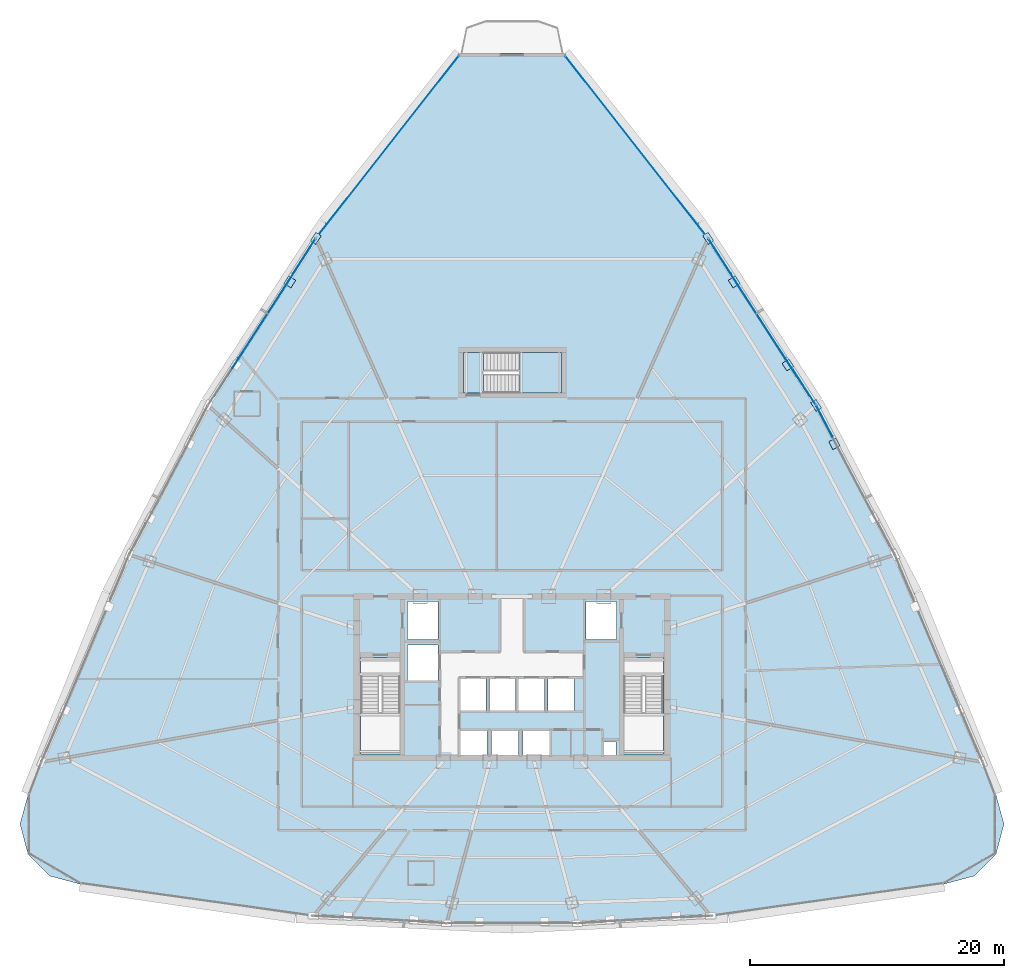
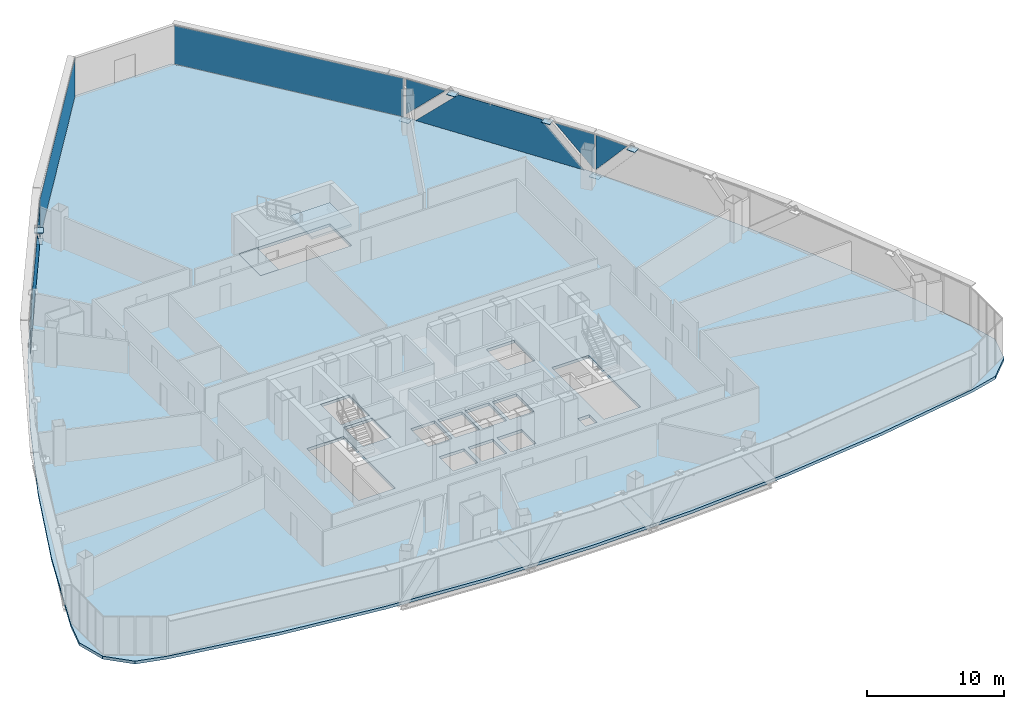
# One storey, part 28 of 37: 15 plates, 3 slabs, 6 elements without a shape of their own.
"""IFC4 building model written with IfcOpenShell, lengths in metres."""

from ifc_helpers import new_model, si_unit, direction, frame, origin, origin_2d, place, context, subcontext, project, spatial, polyline, rectangle, outline, extrude, source, transform, mapped, material, layer, layer_set, type_object, element, aggregate, save


model = new_model("IFC4")

# Units and contexts
model_context = context("Model", 3, precision=1e-05, world=origin(), true_north=direction((0.0, 1.0)))
body_context = subcontext(model_context, "Body", "Model", "MODEL_VIEW")
ifc_project = project(units=[si_unit("LENGTHUNIT", "METRE"), si_unit("AREAUNIT", "SQUARE_METRE"), si_unit("VOLUMEUNIT", "CUBIC_METRE"), si_unit("PLANEANGLEUNIT", "RADIAN"), si_unit("MASSUNIT", "GRAM", prefix="KILO"), si_unit("THERMODYNAMICTEMPERATUREUNIT", "KELVIN"), si_unit("POWERUNIT", "WATT")], contexts=[model_context])

# Site, building, storey
site_placement = place(None, origin())
site = spatial("IfcSite", under=ifc_project, at=site_placement, CompositionType="ELEMENT")
building_placement = place(site_placement, origin())
building = spatial("IfcBuilding", under=site, at=building_placement, Name="Yunzhuo Pagoda Commons", CompositionType="ELEMENT")
storey_placement = place(building_placement, frame((0.0, 0.0, 207.56005859375)))
storey = spatial("IfcBuildingStorey", under=building, at=storey_placement, Name="L52", CompositionType="ELEMENT", Elevation=207.56005859375)

# Curtain wall, plate
ifc_material_1 = material(Name="Anodized aluminium 6063-T6", Category="aluminium")
ifc_layer_1 = layer(ifc_material_1, 0.14990234375)
ifc_layer_set_1 = layer_set([ifc_layer_1], Name="Anodized aluminium 6063-T6")
curtain_wall_type = type_object("IfcCurtainWallType", Name="CW-MID Mid-Zone Ribbon Curtain Wall", PredefinedType="NOTDEFINED", material=ifc_layer_set_1)
curtain_wall_1_placement = place(storey_placement, origin())
curtain_wall_1 = element("IfcCurtainWall", 1, at=curtain_wall_1_placement, inside=storey, type_object=curtain_wall_type, Name="L52 curtain wall CW-L52-F2B3", PredefinedType="NOTDEFINED")
ifc_material_2 = material(Name="Tempered low-e double glazing", Category="glass")
ifc_layer_2 = layer(ifc_material_2, 0.028076171875)
ifc_layer_set_2 = layer_set([ifc_layer_2], Name="Tempered low-e double glazing")
plate_type_1 = type_object("IfcPlateType", Name="CW-MID-P Low-E Double Glazing 28", PredefinedType="CURTAIN_PANEL", material=ifc_layer_set_2)
plate_1_placement = place(storey_placement, frame((72.56005859375, 53.97412109375, 1.935546875), z_axis=(0.884591690585, 0.466366316267, 0.0), x_axis=(-0.466366316267, 0.884591690585, 0.0)))
plate_1 = element("IfcPlate", 2, at=plate_1_placement, type_object=plate_type_1, Name="CW panel 1.1 lite 3", PredefinedType="CURTAIN_PANEL", context=body_context, shape_type="SweptSolid", body=[
    extrude(outline(polyline([(-1.35400390625, 1.54931640625), (1.35400390625, -1.54931640625), (1.35400390625, 1.54931640625), (-1.35400390625, 1.54931640625)])), origin(), (0.0, 0.0, 1.0), 0.028076171875),
])
aggregate(curtain_wall_1, [plate_1])

# Curtain wall, plates
curtain_wall_2_placement = place(storey_placement, origin())
curtain_wall_2 = element("IfcCurtainWall", 3, at=curtain_wall_2_placement, inside=storey, type_object=curtain_wall_type, Name="L52 curtain wall CW-L52-F2B4", PredefinedType="NOTDEFINED")
plate_2_placement = place(storey_placement, frame((70.98828125, 56.637451171875, 1.90673828125), z_axis=(0.839965077478, 0.542640459805, 0.0), x_axis=(-0.542640459805, 0.839965077478, 0.0)))
plate_2 = element("IfcPlate", 4, at=plate_2_placement, type_object=plate_type_1, Name="CW panel 1.1 lite 1", PredefinedType="CURTAIN_PANEL", context=body_context, shape_type="SweptSolid", body=[
    extrude(outline(polyline([(-1.623046875, -1.578369140625), (1.622802734375, 1.578369140625), (-1.623046875, 1.578369140625), (-1.623046875, -1.578369140625)])), origin(), (0.0, 0.0, 1.0), 0.028076171875),
])
plate_3_placement = place(storey_placement, frame((67.635498046875, 61.77197265625, 1.77001953125), z_axis=(0.839965077478, 0.542640459805, 0.0), x_axis=(-0.542640459805, 0.839965077478, 0.0)))
plate_3 = element("IfcPlate", 5, at=plate_3_placement, type_object=plate_type_1, Name="CW panel 1.1 lite 2", PredefinedType="CURTAIN_PANEL", context=body_context, shape_type="SweptSolid", body=[
    extrude(outline(polyline([(-6.946044921875, -1.715087890625), (6.946044921875, -1.715087890625), (3.4189453125, 1.715087890625), (-3.4189453125, 1.715087890625), (-6.946044921875, -1.715087890625)])), origin(), (0.0, 0.0, 1.0), 0.028076171875),
])
plate_4_placement = place(storey_placement, frame((64.333251953125, 66.93896484375, 1.90673828125), z_axis=(0.839965077478, 0.542640459805, 0.0), x_axis=(-0.542640459805, 0.839965077478, 0.0)))
plate_4 = element("IfcPlate", 6, at=plate_4_placement, type_object=plate_type_1, Name="CW panel 1.1 lite 3", PredefinedType="CURTAIN_PANEL", context=body_context, shape_type="SweptSolid", body=[
    extrude(outline(polyline([(-1.622802734375, 1.578369140625), (1.623046875, -1.578369140625), (1.623046875, 1.578369140625), (-1.622802734375, 1.578369140625)])), origin(), (0.0, 0.0, 1.0), 0.028076171875),
])
aggregate(curtain_wall_2, [plate_2, plate_3, plate_4])

curtain_wall_3_placement = place(storey_placement, origin())
curtain_wall_3 = element("IfcCurtainWall", 7, at=curtain_wall_3_placement, inside=storey, type_object=curtain_wall_type, Name="L52 curtain wall CW-L52-F3B2", PredefinedType="NOTDEFINED")
plate_5_placement = place(storey_placement, frame((31.666748046875, 66.93896484375, 1.90673828125), z_axis=(-0.839965077478, 0.542640459805, 0.0), x_axis=(-0.542640459805, -0.839965077478, 0.0)))
plate_5 = element("IfcPlate", 8, at=plate_5_placement, type_object=plate_type_1, Name="CW panel 1.1 lite 1", PredefinedType="CURTAIN_PANEL", context=body_context, shape_type="SweptSolid", body=[
    extrude(outline(polyline([(-1.623046875, -1.578369140625), (1.622802734375, 1.578369140625), (-1.623046875, 1.578369140625), (-1.623046875, -1.578369140625)])), origin(), (0.0, 0.0, 1.0), 0.028076171875),
])
plate_6_placement = place(storey_placement, frame((28.364501953125, 61.77197265625, 1.77001953125), z_axis=(-0.839965077478, 0.542640459805, 0.0), x_axis=(-0.542640459805, -0.839965077478, 0.0)))
plate_6 = element("IfcPlate", 9, at=plate_6_placement, type_object=plate_type_1, Name="CW panel 1.1 lite 2", PredefinedType="CURTAIN_PANEL", context=body_context, shape_type="SweptSolid", body=[
    extrude(outline(polyline([(-6.946044921875, -1.715087890625), (6.946044921875, -1.715087890625), (3.4189453125, 1.715087890625), (-3.4189453125, 1.715087890625), (-6.946044921875, -1.715087890625)])), origin(), (0.0, 0.0, 1.0), 0.028076171875),
])
aggregate(curtain_wall_3, [plate_5, plate_6])

# Stair, slabs
ifc_material_3 = material(Name="Concrete C40", Category="concrete")
stair_type = type_object("IfcStairType", Name="ST-C3 North Tower Smokeproof Stair ST3", PredefinedType="HALF_TURN_STAIR", material=ifc_material_3)
stair_placement = place(storey_placement, origin())
stair = element("IfcStair", 10, at=stair_placement, inside=storey, type_object=stair_type, Name="L52 North tower smokeproof stair ST3", PredefinedType="HALF_TURN_STAIR")
ifc_layer_3 = layer(ifc_material_3, 0.2041015625)
ifc_layer_set_3 = layer_set([ifc_layer_3], Name="Concrete C40")
slab_type_1 = type_object("IfcSlabType", Name="SL-LND5 North Landing Slab 204", PredefinedType="LANDING", material=ifc_layer_set_3)
slab_1_placement = place(storey_placement, frame((0.0, 0.0, 1.699951171875)))
slab_1 = element("IfcSlab", 11, at=slab_1_placement, type_object=slab_type_1, Name="ST3 landing 1", PredefinedType="LANDING", context=body_context, shape_type="SweptSolid", body=[
    extrude(outline(polyline([(48.550048828125, 56.199951171875), (51.89990234375, 56.199951171875), (51.89990234375, 59.39990234375), (48.550048828125, 59.39990234375), (48.550048828125, 56.199951171875)])), origin(), (0.0, 0.0, 1.0), 0.199951171875),
])
slab_2_placement = place(storey_placement, frame((0.0, 0.0, -0.199951171875)))
slab_2 = element("IfcSlab", 12, at=slab_2_placement, type_object=slab_type_1, Name="ST3 floor landing L52", PredefinedType="LANDING", context=body_context, shape_type="SweptSolid", body=[
    extrude(outline(polyline([(44.199951171875, 56.199951171875), (45.75, 56.199951171875), (45.75, 59.39990234375), (44.199951171875, 59.39990234375), (44.199951171875, 56.199951171875)])), origin(), (0.0, 0.0, 1.0), 0.199951171875),
])
aggregate(stair, [slab_1, slab_2])

# Slab
ifc_layer_4 = layer(ifc_material_3, 0.260009765625)
ifc_layer_set_4 = layer_set([ifc_layer_4], Name="Concrete C40")
slab_type_2 = type_object("IfcSlabType", Name="SL-TWR Typical Tower Floor Slab 260", PredefinedType="FLOOR", material=ifc_layer_set_4)
slab_3_placement = place(storey_placement, frame((0.0, 0.0, -0.260009765625)))
element("IfcSlab", 13, at=slab_3_placement, inside=storey, type_object=slab_type_2, Name="L52 structural floor slab", PredefinedType="FLOOR", context=body_context, shape_type="SweptSolid", body=[
    extrude(outline(polyline([(12.94873046875, 32.66162109375), (16.3046875, 40.461181640625), (20.017822265625, 48.052734375), (24.088134765625, 55.435546875), (28.515380859375, 62.60986328125), (33.2998046875, 69.575927734375), (38.44140625, 76.33349609375), (43.940185546875, 82.88232421875), (52.059814453125, 82.88232421875), (57.55859375, 76.33349609375), (62.7001953125, 69.575927734375), (67.484619140625, 62.60986328125), (71.911865234375, 55.435546875), (75.982177734375, 48.052734375), (79.6953125, 40.461181640625), (83.05126953125, 32.66162109375), (86.05029296875, 24.6533203125), (86.691162109375, 22.30029296875), (86.067138671875, 19.942626953125), (84.345703125, 18.215087890625), (81.990478515625, 17.58251953125), (73.492919921875, 16.13525390625), (64.9951171875, 15.1015625), (56.49755859375, 14.481201171875), (48.0, 14.2744140625), (39.50244140625, 14.481201171875), (31.0048828125, 15.1015625), (22.507080078125, 16.13525390625), (14.009521484375, 17.58251953125), (11.654296875, 18.215087890625), (9.932861328125, 19.942626953125), (9.308837890625, 22.30029296875), (9.94970703125, 24.6533203125), (12.94873046875, 32.66162109375)]), holes=[polyline([(46.050048828125, 29.64990234375), (43.949951171875, 29.64990234375), (43.949951171875, 27.60009765625), (46.050048828125, 27.60009765625), (46.050048828125, 29.64990234375)]), polyline([(48.5, 27.60009765625), (48.5, 29.64990234375), (46.39990234375, 29.64990234375), (46.39990234375, 27.60009765625), (48.5, 27.60009765625)]), polyline([(36.10009765625, 27.800048828125), (39.199951171875, 27.800048828125), (39.199951171875, 35.39990234375), (36.10009765625, 35.39990234375), (36.10009765625, 27.800048828125)]), polyline([(45.969970703125, 31.199951171875), (45.969970703125, 33.800048828125), (43.929931640625, 33.800048828125), (43.929931640625, 31.199951171875), (45.969970703125, 31.199951171875)]), polyline([(48.27001953125, 31.199951171875), (48.27001953125, 33.800048828125), (46.22998046875, 33.800048828125), (46.22998046875, 31.199951171875), (48.27001953125, 31.199951171875)]), polyline([(42.199951171875, 33.60009765625), (42.199951171875, 36.39990234375), (39.800048828125, 36.39990234375), (39.800048828125, 33.60009765625), (42.199951171875, 33.60009765625)]), polyline([(42.199951171875, 36.800048828125), (42.199951171875, 39.800048828125), (39.800048828125, 39.800048828125), (39.800048828125, 36.800048828125), (42.199951171875, 36.800048828125)]), polyline([(56.179931640625, 28.800048828125), (55.179931640625, 28.800048828125), (55.179931640625, 27.699951171875), (56.179931640625, 27.699951171875), (56.179931640625, 28.800048828125)]), polyline([(50.949951171875, 27.60009765625), (50.949951171875, 29.64990234375), (48.85009765625, 29.64990234375), (48.85009765625, 27.60009765625), (50.949951171875, 27.60009765625)]), polyline([(56.800048828125, 27.800048828125), (59.89990234375, 27.800048828125), (59.89990234375, 35.39990234375), (56.800048828125, 35.39990234375), (56.800048828125, 27.800048828125)]), polyline([(50.570068359375, 31.199951171875), (50.570068359375, 33.800048828125), (48.530029296875, 33.800048828125), (48.530029296875, 31.199951171875), (50.570068359375, 31.199951171875)]), polyline([(52.8701171875, 31.199951171875), (52.8701171875, 33.800048828125), (50.830078125, 33.800048828125), (50.830078125, 31.199951171875), (52.8701171875, 31.199951171875)]), polyline([(56.199951171875, 36.800048828125), (56.199951171875, 39.800048828125), (53.800048828125, 39.800048828125), (53.800048828125, 36.800048828125), (56.199951171875, 36.800048828125)]), polyline([(51.89990234375, 56.199951171875), (51.89990234375, 59.39990234375), (44.199951171875, 59.39990234375), (44.199951171875, 56.199951171875), (51.89990234375, 56.199951171875)])]), origin(), (0.0, 0.0, 1.0), 0.260009765625),
])

# Plates
ifc_material_4 = material(Name="Structural steel Q355B", Category="steel")
ifc_layer_5 = layer(ifc_material_4, 0.028076171875)
ifc_layer_set_5 = layer_set([ifc_layer_5], Name="Structural steel Q355B")
plate_type_2 = type_object("IfcPlateType", Name="SP-ND1 Lattice Node Cap Plate 800x500x28", PredefinedType="USERDEFINED", material=ifc_layer_set_5)
shared_shape_1 = source(origin(), body_context, "Body", "SweptSolid", [
    extrude(rectangle(XDim=0.800048828125, YDim=0.5, at=origin_2d()), origin(), (0.0, 0.0, 1.0), 0.028076171875),
])
for number, where, z_axis, x_axis, name in (
    (14, (71.9130859375, 55.2314453125, -0.27392578125), (0.0, 0.0, 1.0), (-0.542646794047, 0.83996098535, 0.0), "L52 diamond node plate F2.3A"),
    (15, (63.431640625, 68.360107421875, -0.27392578125), (0.0, 0.0, 1.0), (-0.542646794047, 0.83996098535, 0.0), "L52 diamond node plate F2.3B"),
    (16, (32.568359375, 68.360107421875, -0.27392578125), (0.0, 0.0, 1.0), (-0.542646794047, -0.83996098535, 0.0), "L52 diamond node plate F3.1A"),
):
    element("IfcPlate", number, at=place(storey_placement, frame(where, z_axis=z_axis, x_axis=x_axis)), inside=storey, type_object=plate_type_2, Name=name, ObjectType="STIFFENER_PLATE", PredefinedType="USERDEFINED", context=body_context, shape_type="MappedRepresentation", body=[
        mapped(shared_shape_1, transform((0.0, 0.0, 0.0), scale=1.0)),
    ])
shared_shape_2 = source(origin(), body_context, "Body", "SweptSolid", [
    extrude(rectangle(XDim=0.699951171875, YDim=0.62939453125, at=origin_2d()), origin(), (0.0, 0.0, 1.0), 0.035888671875),
])
plate_7_placement = place(storey_placement, frame((73.348876953125, 52.2119140625, 3.501953125), z_axis=(0.0, 0.0, 1.0), x_axis=(-0.466371201418, 0.884589115063, 0.0)))
element("IfcPlate", 17, at=plate_7_placement, inside=storey, type_object=plate_type_2, Name="L52 setback lattice tie plate F2.2R", ObjectType="STIFFENER_PLATE", PredefinedType="USERDEFINED", context=body_context, shape_type="MappedRepresentation", body=[
    mapped(shared_shape_2, transform((0.0, 0.0, 0.0), scale=1.0)),
])
shared_shape_3 = source(origin(), body_context, "Body", "SweptSolid", [
    extrude(rectangle(XDim=0.699951171875, YDim=0.640380859375, at=origin_2d()), origin(), (0.0, 0.0, 1.0), 0.035888671875),
])
plate_8_placement = place(storey_placement, frame((69.69677734375, 58.40478515625, 3.501953125), z_axis=(0.0, 0.0, 1.0), x_axis=(-0.542646794047, 0.83996098535, 0.0)))
element("IfcPlate", 18, at=plate_8_placement, inside=storey, type_object=plate_type_2, Name="L52 setback lattice tie plate F2.3L", ObjectType="STIFFENER_PLATE", PredefinedType="USERDEFINED", context=body_context, shape_type="MappedRepresentation", body=[
    mapped(shared_shape_3, transform((0.0, 0.0, 0.0), scale=1.0)),
])
shared_shape_4 = source(origin(), body_context, "Body", "SweptSolid", [
    extrude(rectangle(XDim=0.699951171875, YDim=0.663330078125, at=origin_2d()), origin(), (0.0, 0.0, 1.0), 0.035888671875),
])
for number, where, z_axis, x_axis, name in (
    (19, (65.475341796875, 64.94140625, 3.501953125), (0.0, 0.0, 1.0), (-0.542646794047, 0.83996098535, 0.0), "L52 setback lattice tie plate F2.3R"),
    (20, (30.524658203125, 64.94140625, 3.501953125), (0.0, 0.0, 1.0), (-0.542646794047, -0.83996098535, 0.0), "L52 setback lattice tie plate F3.1L"),
):
    element("IfcPlate", number, at=place(storey_placement, frame(where, z_axis=z_axis, x_axis=x_axis)), inside=storey, type_object=plate_type_2, Name=name, ObjectType="STIFFENER_PLATE", PredefinedType="USERDEFINED", context=body_context, shape_type="MappedRepresentation", body=[
        mapped(shared_shape_4, transform((0.0, 0.0, 0.0), scale=1.0)),
    ])

# Curtain wall, plate
curtain_wall_4_placement = place(storey_placement, origin())
curtain_wall_4 = element("IfcCurtainWall", 21, at=curtain_wall_4_placement, inside=storey, type_object=curtain_wall_type, Name="L52 curtain wall CW-L52-F2B5", PredefinedType="NOTDEFINED")
shared_shape_5 = source(origin(), body_context, "Body", "SweptSolid", [
    extrude(rectangle(XDim=18.0888671875, YDim=0.028076171875, at=origin_2d()), origin(), (0.0, 0.0, 1.0), 3.429931640625),
])
plate_9_placement = place(storey_placement, frame((57.77001953125, 75.585693359375, 0.05517578125), z_axis=(0.0, 0.0, 1.0), x_axis=(-0.616761577071, 0.787150021946, 0.0)))
plate_9 = element("IfcPlate", 22, at=plate_9_placement, type_object=plate_type_1, Name="CW panel 1.1", PredefinedType="CURTAIN_PANEL", context=body_context, shape_type="MappedRepresentation", body=[
    mapped(shared_shape_5, transform((0.0, 0.0, 0.0), scale=1.0)),
])
aggregate(curtain_wall_4, [plate_9])

curtain_wall_5_placement = place(storey_placement, origin())
curtain_wall_5 = element("IfcCurtainWall", 23, at=curtain_wall_5_placement, inside=storey, type_object=curtain_wall_type, Name="L52 curtain wall CW-L52-F3B1", PredefinedType="NOTDEFINED")
plate_10_placement = place(storey_placement, frame((38.22998046875, 75.585693359375, 0.05517578125), z_axis=(0.0, 0.0, 1.0), x_axis=(-0.616761577071, -0.787150021946, 0.0)))
plate_10 = element("IfcPlate", 24, at=plate_10_placement, type_object=plate_type_1, Name="CW panel 1.1", PredefinedType="CURTAIN_PANEL", context=body_context, shape_type="MappedRepresentation", body=[
    mapped(shared_shape_5, transform((0.0, 0.0, 0.0), scale=1.0)),
])
aggregate(curtain_wall_5, [plate_10])

save(model, "model.ifc")
